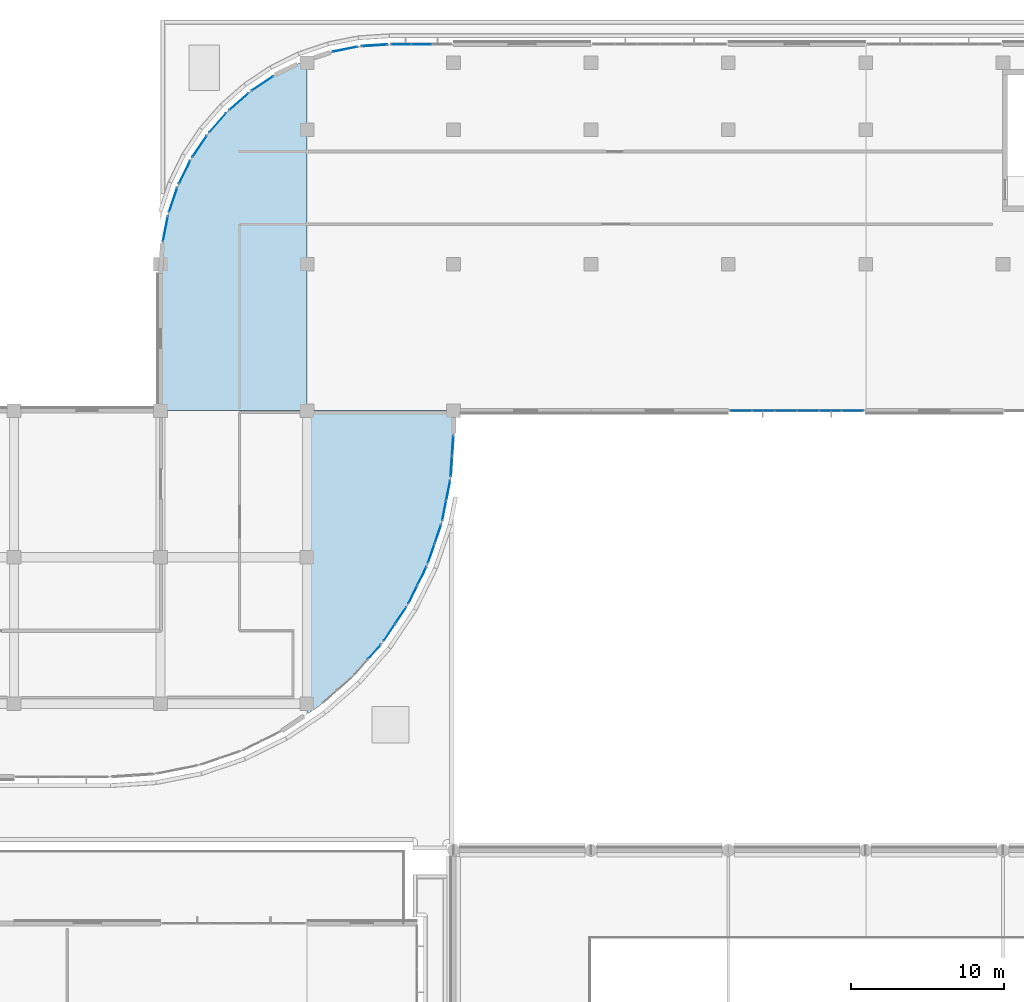
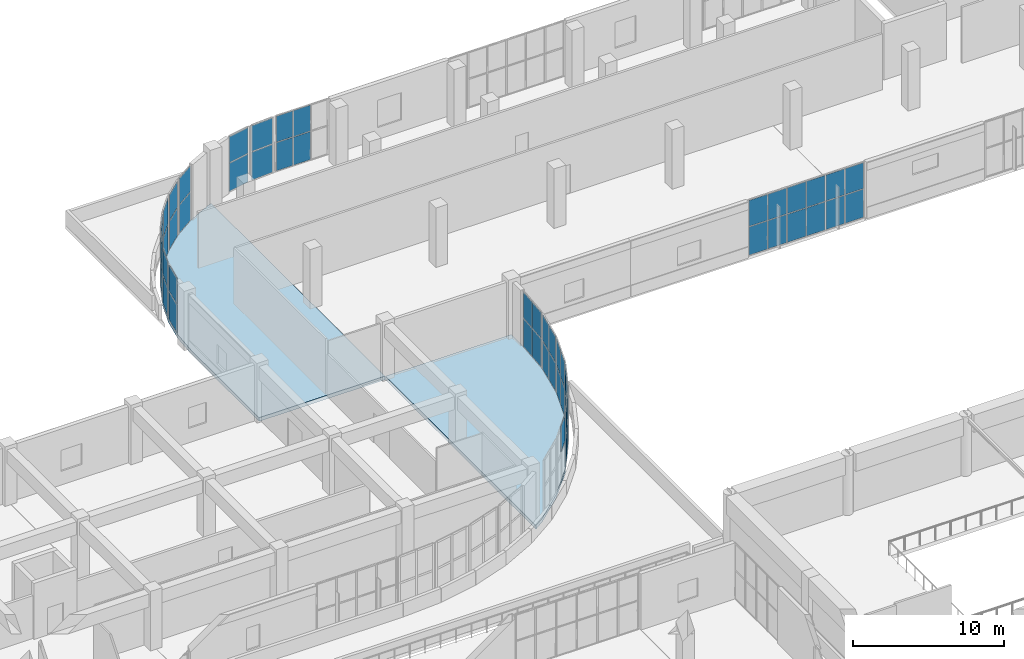
# One storey, part 51 of 96: 55 plates, 2 slabs, 17 elements without a shape of their own.
"""IFC4 building model written with IfcOpenShell, lengths in metres."""

from ifc_helpers import new_model, si_unit, direction, frame, origin, origin_2d, place, context, subcontext, project, spatial, polyline, rectangle, outline, extrude, material, layer, layer_set, type_object, element, aggregate, save


model = new_model("IFC4")

# Units and contexts
model_context = context("Model", 3, precision=1e-05, world=origin(), true_north=direction((0.0, 1.0)))
body_context = subcontext(model_context, "Body", "Model", "MODEL_VIEW")
ifc_project = project(units=[si_unit("LENGTHUNIT", "METRE"), si_unit("AREAUNIT", "SQUARE_METRE"), si_unit("VOLUMEUNIT", "CUBIC_METRE"), si_unit("PLANEANGLEUNIT", "RADIAN"), si_unit("MASSUNIT", "GRAM", prefix="KILO")], contexts=[model_context])

# Site, building, storey
site_placement = place(None, origin())
site = spatial("IfcSite", under=ifc_project, at=site_placement, CompositionType="ELEMENT")
building_placement = place(site_placement, origin())
building = spatial("IfcBuilding", under=site, at=building_placement, Name="Cendralis Terraced Arcade", CompositionType="ELEMENT")
storey_placement = place(building_placement, frame((0.0, 0.0, 10.199951171875)))
storey = spatial("IfcBuildingStorey", under=building, at=storey_placement, Name="L02", CompositionType="ELEMENT", Elevation=10.199951171875)

# Curtain wall, plates
ifc_material_1 = material(Name="Anodised aluminium EN AW-6063 T6", Category="aluminium")
ifc_layer_1 = layer(ifc_material_1, 0.1201171875, Name="CW-STORE-B")
ifc_layer_set_1 = layer_set([ifc_layer_1], Name="Anodised aluminium EN AW-6063 T6")
curtain_wall_type_1 = type_object("IfcCurtainWallType", Name="CW-STORE-B", PredefinedType="USERDEFINED", material=ifc_layer_set_1)
curtain_wall_1_placement = place(storey_placement, origin())
curtain_wall_1 = element("IfcCurtainWall", 1, at=curtain_wall_1_placement, inside=storey, type_object=curtain_wall_type_1, Name="Exterior Storefront Glazing CW-L02-0115", ObjectType="STOREFRONT GLAZING", PredefinedType="USERDEFINED")
ifc_material_2 = material(Name="Tempered solar control laminated glass", Category="glass")
ifc_layer_2 = layer(ifc_material_2, 0.02392578125, Name="CW-STORE-B-PNL")
ifc_layer_set_2 = layer_set([ifc_layer_2], Name="Tempered solar control laminated glass")
plate_type_1 = type_object("IfcPlateType", Name="CW-STORE-B-PNL", PredefinedType="CURTAIN_PANEL", material=ifc_layer_set_2)
plate_1_placement = place(storey_placement, frame((93.361328125, 88.800048828125, 0.05517578125), z_axis=(0.0, 0.0, 1.0), x_axis=(-1.0, 0.0, 0.0)))
plate_1 = element("IfcPlate", 2, at=plate_1_placement, type_object=plate_type_1, Name="CW-S2 panel 1.1", PredefinedType="CURTAIN_PANEL", context=body_context, shape_type="SweptSolid", body=[
    extrude(rectangle(XDim=1.387451171875, YDim=0.02392578125, at=origin_2d()), origin(), (0.0, 0.0, 1.0), 2.265380859375),
])
plate_2_placement = place(storey_placement, frame((93.361328125, 88.800048828125, 2.37548828125), z_axis=(0.0, 0.0, 1.0), x_axis=(-1.0, 0.0, 0.0)))
plate_2 = element("IfcPlate", 3, at=plate_2_placement, type_object=plate_type_1, Name="CW-S2 panel 1.2", PredefinedType="CURTAIN_PANEL", context=body_context, shape_type="SweptSolid", body=[
    extrude(rectangle(XDim=1.387451171875, YDim=0.02392578125, at=origin_2d()), origin(), (0.0, 0.0, 1.0), 2.084716796875),
])
plate_3_placement = place(storey_placement, frame((91.905029296875, 88.800048828125, 0.05517578125), z_axis=(0.0, 0.0, 1.0), x_axis=(-1.0, 0.0, 0.0)))
plate_3 = element("IfcPlate", 4, at=plate_3_placement, type_object=plate_type_1, Name="CW-S2 panel 2.1", PredefinedType="CURTAIN_PANEL", context=body_context, shape_type="SweptSolid", body=[
    extrude(rectangle(XDim=1.4150390625, YDim=0.02392578125, at=origin_2d()), origin(), (0.0, 0.0, 1.0), 2.265380859375),
])
plate_4_placement = place(storey_placement, frame((91.905029296875, 88.800048828125, 2.37548828125), z_axis=(0.0, 0.0, 1.0), x_axis=(-1.0, 0.0, 0.0)))
plate_4 = element("IfcPlate", 5, at=plate_4_placement, type_object=plate_type_1, Name="CW-S2 panel 2.2", PredefinedType="CURTAIN_PANEL", context=body_context, shape_type="SweptSolid", body=[
    extrude(rectangle(XDim=1.4150390625, YDim=0.02392578125, at=origin_2d()), origin(), (0.0, 0.0, 1.0), 2.084716796875),
])
plate_5_placement = place(storey_placement, frame((90.43505859375, 88.800048828125, 0.05517578125), z_axis=(0.0, 0.0, 1.0), x_axis=(-1.0, 0.0, 0.0)))
plate_5 = element("IfcPlate", 6, at=plate_5_placement, type_object=plate_type_1, Name="CW-S2 panel 3.1", PredefinedType="CURTAIN_PANEL", context=body_context, shape_type="SweptSolid", body=[
    extrude(rectangle(XDim=1.4150390625, YDim=0.02392578125, at=origin_2d()), origin(), (0.0, 0.0, 1.0), 2.265380859375),
])
plate_6_placement = place(storey_placement, frame((90.43505859375, 88.800048828125, 2.37548828125), z_axis=(0.0, 0.0, 1.0), x_axis=(-1.0, 0.0, 0.0)))
plate_6 = element("IfcPlate", 7, at=plate_6_placement, type_object=plate_type_1, Name="CW-S2 panel 3.2", PredefinedType="CURTAIN_PANEL", context=body_context, shape_type="SweptSolid", body=[
    extrude(rectangle(XDim=1.4150390625, YDim=0.02392578125, at=origin_2d()), origin(), (0.0, 0.0, 1.0), 2.084716796875),
])
plate_7_placement = place(storey_placement, frame((88.965087890625, 88.800048828125, 0.05517578125), z_axis=(0.0, 0.0, 1.0), x_axis=(-1.0, 0.0, 0.0)))
plate_7 = element("IfcPlate", 8, at=plate_7_placement, type_object=plate_type_1, Name="CW-S2 panel 4.1", PredefinedType="CURTAIN_PANEL", context=body_context, shape_type="SweptSolid", body=[
    extrude(rectangle(XDim=1.4150390625, YDim=0.02392578125, at=origin_2d()), origin(), (0.0, 0.0, 1.0), 2.265380859375),
])
plate_8_placement = place(storey_placement, frame((88.965087890625, 88.800048828125, 2.37548828125), z_axis=(0.0, 0.0, 1.0), x_axis=(-1.0, 0.0, 0.0)))
plate_8 = element("IfcPlate", 9, at=plate_8_placement, type_object=plate_type_1, Name="CW-S2 panel 4.2", PredefinedType="CURTAIN_PANEL", context=body_context, shape_type="SweptSolid", body=[
    extrude(rectangle(XDim=1.4150390625, YDim=0.02392578125, at=origin_2d()), origin(), (0.0, 0.0, 1.0), 2.084716796875),
])
plate_9_placement = place(storey_placement, frame((87.4951171875, 88.800048828125, 0.05517578125), z_axis=(0.0, 0.0, 1.0), x_axis=(-1.0, 0.0, 0.0)))
plate_9 = element("IfcPlate", 10, at=plate_9_placement, type_object=plate_type_1, Name="CW-S2 panel 5.1", PredefinedType="CURTAIN_PANEL", context=body_context, shape_type="SweptSolid", body=[
    extrude(rectangle(XDim=1.4150390625, YDim=0.02392578125, at=origin_2d()), origin(), (0.0, 0.0, 1.0), 2.265380859375),
])
plate_10_placement = place(storey_placement, frame((87.4951171875, 88.800048828125, 2.37548828125), z_axis=(0.0, 0.0, 1.0), x_axis=(-1.0, 0.0, 0.0)))
plate_10 = element("IfcPlate", 11, at=plate_10_placement, type_object=plate_type_1, Name="CW-S2 panel 5.2", PredefinedType="CURTAIN_PANEL", context=body_context, shape_type="SweptSolid", body=[
    extrude(rectangle(XDim=1.4150390625, YDim=0.02392578125, at=origin_2d()), origin(), (0.0, 0.0, 1.0), 2.084716796875),
])
plate_11_placement = place(storey_placement, frame((86.038818359375, 88.800048828125, 0.05517578125), z_axis=(0.0, 0.0, 1.0), x_axis=(-1.0, 0.0, 0.0)))
plate_11 = element("IfcPlate", 12, at=plate_11_placement, type_object=plate_type_1, Name="CW-S2 panel 6.1", PredefinedType="CURTAIN_PANEL", context=body_context, shape_type="SweptSolid", body=[
    extrude(rectangle(XDim=1.387451171875, YDim=0.02392578125, at=origin_2d()), origin(), (0.0, 0.0, 1.0), 2.265380859375),
])
plate_12_placement = place(storey_placement, frame((86.038818359375, 88.800048828125, 2.37548828125), z_axis=(0.0, 0.0, 1.0), x_axis=(-1.0, 0.0, 0.0)))
plate_12 = element("IfcPlate", 13, at=plate_12_placement, type_object=plate_type_1, Name="CW-S2 panel 6.2", PredefinedType="CURTAIN_PANEL", context=body_context, shape_type="SweptSolid", body=[
    extrude(rectangle(XDim=1.387451171875, YDim=0.02392578125, at=origin_2d()), origin(), (0.0, 0.0, 1.0), 2.084716796875),
])
aggregate(curtain_wall_1, [plate_1, plate_2, plate_3, plate_4, plate_5, plate_6, plate_7, plate_8, plate_9, plate_10, plate_11, plate_12])

curtain_wall_2_placement = place(storey_placement, origin())
curtain_wall_2 = element("IfcCurtainWall", 14, at=curtain_wall_2_placement, inside=storey, type_object=curtain_wall_type_1, Name="Exterior Storefront Glazing CW-L02-0152", ObjectType="STOREFRONT GLAZING", PredefinedType="USERDEFINED")
plate_13_placement = place(storey_placement, frame((63.773681640625, 112.800048828125, 0.05517578125), z_axis=(0.0, 0.0, 1.0), x_axis=(1.0, 0.0, 0.0)))
plate_13 = element("IfcPlate", 15, at=plate_13_placement, type_object=plate_type_1, Name="CW-S2 panel 1.1", PredefinedType="CURTAIN_PANEL", context=body_context, shape_type="SweptSolid", body=[
    extrude(rectangle(XDim=1.257568359375, YDim=0.02392578125, at=origin_2d()), origin(), (0.0, 0.0, 1.0), 2.265380859375),
])
plate_14_placement = place(storey_placement, frame((63.773681640625, 112.800048828125, 2.37548828125), z_axis=(0.0, 0.0, 1.0), x_axis=(1.0, 0.0, 0.0)))
plate_14 = element("IfcPlate", 16, at=plate_14_placement, type_object=plate_type_1, Name="CW-S2 panel 1.2", PredefinedType="CURTAIN_PANEL", context=body_context, shape_type="SweptSolid", body=[
    extrude(rectangle(XDim=1.257568359375, YDim=0.02392578125, at=origin_2d()), origin(), (0.0, 0.0, 1.0), 2.084716796875),
])
plate_15_placement = place(storey_placement, frame((65.10009765625, 112.800048828125, 0.05517578125), z_axis=(0.0, 0.0, 1.0), x_axis=(1.0, 0.0, 0.0)))
plate_15 = element("IfcPlate", 17, at=plate_15_placement, type_object=plate_type_1, Name="CW-S2 panel 2.1", PredefinedType="CURTAIN_PANEL", context=body_context, shape_type="SweptSolid", body=[
    extrude(rectangle(XDim=1.284912109375, YDim=0.02392578125, at=origin_2d()), origin(), (0.0, 0.0, 1.0), 2.265380859375),
])
plate_16_placement = place(storey_placement, frame((65.10009765625, 112.800048828125, 2.37548828125), z_axis=(0.0, 0.0, 1.0), x_axis=(1.0, 0.0, 0.0)))
plate_16 = element("IfcPlate", 18, at=plate_16_placement, type_object=plate_type_1, Name="CW-S2 panel 2.2", PredefinedType="CURTAIN_PANEL", context=body_context, shape_type="SweptSolid", body=[
    extrude(rectangle(XDim=1.284912109375, YDim=0.02392578125, at=origin_2d()), origin(), (0.0, 0.0, 1.0), 2.084716796875),
])
aggregate(curtain_wall_2, [plate_13, plate_14, plate_15, plate_16])

ifc_layer_3 = layer(ifc_material_1, 0.179931640625, Name="CW-UNIT-A")
ifc_layer_set_3 = layer_set([ifc_layer_3], Name="Anodised aluminium EN AW-6063 T6")
curtain_wall_type_2 = type_object("IfcCurtainWallType", Name="CW-UNIT-A", PredefinedType="USERDEFINED", material=ifc_layer_set_3)
curtain_wall_3_placement = place(storey_placement, origin())
curtain_wall_3 = element("IfcCurtainWall", 19, at=curtain_wall_3_placement, inside=storey, type_object=curtain_wall_type_2, Name="Exterior Unitised Facade CW-L02-0116", ObjectType="UNITISED FACADE", PredefinedType="USERDEFINED")
ifc_layer_4 = layer(ifc_material_2, 0.035888671875, Name="CW-UNIT-A-PNL")
ifc_layer_set_4 = layer_set([ifc_layer_4], Name="Tempered solar control laminated glass")
plate_type_2 = type_object("IfcPlateType", Name="CW-UNIT-A-PNL", PredefinedType="CURTAIN_PANEL", material=ifc_layer_set_4)
plate_17_placement = place(storey_placement, frame((67.14794921875, 86.504638671875, 0.06494140625), z_axis=(0.0, 0.0, 1.0), x_axis=(-0.065397206439, -0.997859311421, 0.0)))
plate_17 = element("IfcPlate", 20, at=plate_17_placement, type_object=plate_type_2, Name="CW-U1 panel 1.1", PredefinedType="CURTAIN_PANEL", context=body_context, shape_type="SweptSolid", body=[
    extrude(rectangle(XDim=1.283935546875, YDim=0.035888671875, at=origin_2d()), origin(), (0.0, 0.0, 1.0), 2.250244140625),
])
plate_18_placement = place(storey_placement, frame((67.14794921875, 86.504638671875, 2.38037109375), z_axis=(0.0, 0.0, 1.0), x_axis=(-0.065397206439, -0.997859311421, 0.0)))
plate_18 = element("IfcPlate", 21, at=plate_18_placement, type_object=plate_type_2, Name="CW-U1 panel 1.2", PredefinedType="CURTAIN_PANEL", context=body_context, shape_type="SweptSolid", body=[
    extrude(rectangle(XDim=1.283935546875, YDim=0.035888671875, at=origin_2d()), origin(), (0.0, 0.0, 1.0), 2.069580078125),
])
plate_19_placement = place(storey_placement, frame((67.0595703125, 85.158447265625, 0.06494140625), z_axis=(0.0, 0.0, 1.0), x_axis=(-0.065397206439, -0.997859311421, 0.0)))
plate_19 = element("IfcPlate", 22, at=plate_19_placement, type_object=plate_type_2, Name="CW-U1 panel 2.1", PredefinedType="CURTAIN_PANEL", context=body_context, shape_type="SweptSolid", body=[
    extrude(rectangle(XDim=1.283935546875, YDim=0.035888671875, at=origin_2d()), origin(), (0.0, 0.0, 1.0), 2.250244140625),
])
plate_20_placement = place(storey_placement, frame((67.0595703125, 85.158447265625, 2.38037109375), z_axis=(0.0, 0.0, 1.0), x_axis=(-0.065397206439, -0.997859311421, 0.0)))
plate_20 = element("IfcPlate", 23, at=plate_20_placement, type_object=plate_type_2, Name="CW-U1 panel 2.2", PredefinedType="CURTAIN_PANEL", context=body_context, shape_type="SweptSolid", body=[
    extrude(rectangle(XDim=1.283935546875, YDim=0.035888671875, at=origin_2d()), origin(), (0.0, 0.0, 1.0), 2.069580078125),
])
aggregate(curtain_wall_3, [plate_17, plate_18, plate_19, plate_20])

curtain_wall_4_placement = place(storey_placement, origin())
curtain_wall_4 = element("IfcCurtainWall", 24, at=curtain_wall_4_placement, inside=storey, type_object=curtain_wall_type_2, Name="Exterior Unitised Facade CW-L02-0117", ObjectType="UNITISED FACADE", PredefinedType="USERDEFINED")
plate_21_placement = place(storey_placement, frame((66.85205078125, 83.58154296875, 0.06494140625), z_axis=(0.0, 0.0, 1.0), x_axis=(-0.195072039192, -0.980788916906, 0.0)))
plate_21 = element("IfcPlate", 25, at=plate_21_placement, type_object=plate_type_2, Name="CW-U1 panel 1.1", PredefinedType="CURTAIN_PANEL", context=body_context, shape_type="SweptSolid", body=[
    extrude(rectangle(XDim=1.283935546875, YDim=0.035888671875, at=origin_2d()), origin(), (0.0, 0.0, 1.0), 2.250244140625),
])
plate_22_placement = place(storey_placement, frame((66.85205078125, 83.58154296875, 2.38037109375), z_axis=(0.0, 0.0, 1.0), x_axis=(-0.195072039192, -0.980788916906, 0.0)))
plate_22 = element("IfcPlate", 26, at=plate_22_placement, type_object=plate_type_2, Name="CW-U1 panel 1.2", PredefinedType="CURTAIN_PANEL", context=body_context, shape_type="SweptSolid", body=[
    extrude(rectangle(XDim=1.283935546875, YDim=0.035888671875, at=origin_2d()), origin(), (0.0, 0.0, 1.0), 2.069580078125),
])
plate_23_placement = place(storey_placement, frame((66.5888671875, 82.25830078125, 0.06494140625), z_axis=(0.0, 0.0, 1.0), x_axis=(-0.195072039192, -0.980788916906, 0.0)))
plate_23 = element("IfcPlate", 27, at=plate_23_placement, type_object=plate_type_2, Name="CW-U1 panel 2.1", PredefinedType="CURTAIN_PANEL", context=body_context, shape_type="SweptSolid", body=[
    extrude(rectangle(XDim=1.283935546875, YDim=0.035888671875, at=origin_2d()), origin(), (0.0, 0.0, 1.0), 2.250244140625),
])
plate_24_placement = place(storey_placement, frame((66.5888671875, 82.25830078125, 2.38037109375), z_axis=(0.0, 0.0, 1.0), x_axis=(-0.195072039192, -0.980788916906, 0.0)))
plate_24 = element("IfcPlate", 28, at=plate_24_placement, type_object=plate_type_2, Name="CW-U1 panel 2.2", PredefinedType="CURTAIN_PANEL", context=body_context, shape_type="SweptSolid", body=[
    extrude(rectangle(XDim=1.283935546875, YDim=0.035888671875, at=origin_2d()), origin(), (0.0, 0.0, 1.0), 2.069580078125),
])
aggregate(curtain_wall_4, [plate_21, plate_22, plate_23, plate_24])

curtain_wall_5_placement = place(storey_placement, origin())
curtain_wall_5 = element("IfcCurtainWall", 29, at=curtain_wall_5_placement, inside=storey, type_object=curtain_wall_type_2, Name="Exterior Unitised Facade CW-L02-0118", ObjectType="UNITISED FACADE", PredefinedType="USERDEFINED")
plate_25_placement = place(storey_placement, frame((66.17724609375, 80.721923828125, 0.06494140625), z_axis=(0.0, 0.0, 1.0), x_axis=(-0.321434268814, -0.94693189345, 0.0)))
plate_25 = element("IfcPlate", 30, at=plate_25_placement, type_object=plate_type_2, Name="CW-U1 panel 1.1", PredefinedType="CURTAIN_PANEL", context=body_context, shape_type="SweptSolid", body=[
    extrude(rectangle(XDim=1.2841796875, YDim=0.035888671875, at=origin_2d()), origin(), (0.0, 0.0, 1.0), 2.250244140625),
])
plate_26_placement = place(storey_placement, frame((66.17724609375, 80.721923828125, 2.38037109375), z_axis=(0.0, 0.0, 1.0), x_axis=(-0.321434268814, -0.94693189345, 0.0)))
plate_26 = element("IfcPlate", 31, at=plate_26_placement, type_object=plate_type_2, Name="CW-U1 panel 1.2", PredefinedType="CURTAIN_PANEL", context=body_context, shape_type="SweptSolid", body=[
    extrude(rectangle(XDim=1.2841796875, YDim=0.035888671875, at=origin_2d()), origin(), (0.0, 0.0, 1.0), 2.069580078125),
])
plate_27_placement = place(storey_placement, frame((65.743408203125, 79.4443359375, 0.06494140625), z_axis=(0.0, 0.0, 1.0), x_axis=(-0.321434268814, -0.94693189345, 0.0)))
plate_27 = element("IfcPlate", 32, at=plate_27_placement, type_object=plate_type_2, Name="CW-U1 panel 2.1", PredefinedType="CURTAIN_PANEL", context=body_context, shape_type="SweptSolid", body=[
    extrude(rectangle(XDim=1.2841796875, YDim=0.035888671875, at=origin_2d()), origin(), (0.0, 0.0, 1.0), 2.250244140625),
])
plate_28_placement = place(storey_placement, frame((65.743408203125, 79.4443359375, 2.38037109375), z_axis=(0.0, 0.0, 1.0), x_axis=(-0.321434268814, -0.94693189345, 0.0)))
plate_28 = element("IfcPlate", 33, at=plate_28_placement, type_object=plate_type_2, Name="CW-U1 panel 2.2", PredefinedType="CURTAIN_PANEL", context=body_context, shape_type="SweptSolid", body=[
    extrude(rectangle(XDim=1.2841796875, YDim=0.035888671875, at=origin_2d()), origin(), (0.0, 0.0, 1.0), 2.069580078125),
])
aggregate(curtain_wall_5, [plate_25, plate_26, plate_27, plate_28])

curtain_wall_6_placement = place(storey_placement, origin())
curtain_wall_6 = element("IfcCurtainWall", 34, at=curtain_wall_6_placement, inside=storey, type_object=curtain_wall_type_2, Name="Exterior Unitised Facade CW-L02-0119", ObjectType="UNITISED FACADE", PredefinedType="USERDEFINED")
plate_29_placement = place(storey_placement, frame((65.134765625, 77.974853515625, 0.06494140625), z_axis=(0.0, 0.0, 1.0), x_axis=(-0.442284907309, -0.896874607047, 0.0)))
plate_29 = element("IfcPlate", 35, at=plate_29_placement, type_object=plate_type_2, Name="CW-U1 panel 1.1", PredefinedType="CURTAIN_PANEL", context=body_context, shape_type="SweptSolid", body=[
    extrude(rectangle(XDim=1.2841796875, YDim=0.035888671875, at=origin_2d()), origin(), (0.0, 0.0, 1.0), 2.250244140625),
])
plate_30_placement = place(storey_placement, frame((65.134765625, 77.974853515625, 2.38037109375), z_axis=(0.0, 0.0, 1.0), x_axis=(-0.442284907309, -0.896874607047, 0.0)))
plate_30 = element("IfcPlate", 36, at=plate_30_placement, type_object=plate_type_2, Name="CW-U1 panel 1.2", PredefinedType="CURTAIN_PANEL", context=body_context, shape_type="SweptSolid", body=[
    extrude(rectangle(XDim=1.2841796875, YDim=0.035888671875, at=origin_2d()), origin(), (0.0, 0.0, 1.0), 2.069580078125),
])
plate_31_placement = place(storey_placement, frame((64.5380859375, 76.764892578125, 0.06494140625), z_axis=(0.0, 0.0, 1.0), x_axis=(-0.442284907309, -0.896874607047, 0.0)))
plate_31 = element("IfcPlate", 37, at=plate_31_placement, type_object=plate_type_2, Name="CW-U1 panel 2.1", PredefinedType="CURTAIN_PANEL", context=body_context, shape_type="SweptSolid", body=[
    extrude(rectangle(XDim=1.2841796875, YDim=0.035888671875, at=origin_2d()), origin(), (0.0, 0.0, 1.0), 2.250244140625),
])
plate_32_placement = place(storey_placement, frame((64.5380859375, 76.764892578125, 2.38037109375), z_axis=(0.0, 0.0, 1.0), x_axis=(-0.442284907309, -0.896874607047, 0.0)))
plate_32 = element("IfcPlate", 38, at=plate_32_placement, type_object=plate_type_2, Name="CW-U1 panel 2.2", PredefinedType="CURTAIN_PANEL", context=body_context, shape_type="SweptSolid", body=[
    extrude(rectangle(XDim=1.2841796875, YDim=0.035888671875, at=origin_2d()), origin(), (0.0, 0.0, 1.0), 2.069580078125),
])
aggregate(curtain_wall_6, [plate_29, plate_30, plate_31, plate_32])

curtain_wall_7_placement = place(storey_placement, origin())
curtain_wall_7 = element("IfcCurtainWall", 39, at=curtain_wall_7_placement, inside=storey, type_object=curtain_wall_type_2, Name="Exterior Unitised Facade CW-L02-0120", ObjectType="UNITISED FACADE", PredefinedType="USERDEFINED")
plate_33_placement = place(storey_placement, frame((63.74267578125, 75.38720703125, 0.06494140625), z_axis=(0.0, 0.0, 1.0), x_axis=(-0.555560119749, -0.831476369685, 0.0)))
plate_33 = element("IfcPlate", 40, at=plate_33_placement, type_object=plate_type_2, Name="CW-U1 panel 1.1", PredefinedType="CURTAIN_PANEL", context=body_context, shape_type="SweptSolid", body=[
    extrude(rectangle(XDim=1.2841796875, YDim=0.035888671875, at=origin_2d()), origin(), (0.0, 0.0, 1.0), 2.250244140625),
])
plate_34_placement = place(storey_placement, frame((63.74267578125, 75.38720703125, 2.38037109375), z_axis=(0.0, 0.0, 1.0), x_axis=(-0.555560119749, -0.831476369685, 0.0)))
plate_34 = element("IfcPlate", 41, at=plate_34_placement, type_object=plate_type_2, Name="CW-U1 panel 1.2", PredefinedType="CURTAIN_PANEL", context=body_context, shape_type="SweptSolid", body=[
    extrude(rectangle(XDim=1.2841796875, YDim=0.035888671875, at=origin_2d()), origin(), (0.0, 0.0, 1.0), 2.069580078125),
])
plate_35_placement = place(storey_placement, frame((62.993408203125, 74.265625, 0.06494140625), z_axis=(0.0, 0.0, 1.0), x_axis=(-0.555560119749, -0.831476369685, 0.0)))
plate_35 = element("IfcPlate", 42, at=plate_35_placement, type_object=plate_type_2, Name="CW-U1 panel 2.1", PredefinedType="CURTAIN_PANEL", context=body_context, shape_type="SweptSolid", body=[
    extrude(rectangle(XDim=1.2841796875, YDim=0.035888671875, at=origin_2d()), origin(), (0.0, 0.0, 1.0), 2.250244140625),
])
plate_36_placement = place(storey_placement, frame((62.993408203125, 74.265625, 2.38037109375), z_axis=(0.0, 0.0, 1.0), x_axis=(-0.555560119749, -0.831476369685, 0.0)))
plate_36 = element("IfcPlate", 43, at=plate_36_placement, type_object=plate_type_2, Name="CW-U1 panel 2.2", PredefinedType="CURTAIN_PANEL", context=body_context, shape_type="SweptSolid", body=[
    extrude(rectangle(XDim=1.2841796875, YDim=0.035888671875, at=origin_2d()), origin(), (0.0, 0.0, 1.0), 2.069580078125),
])
aggregate(curtain_wall_7, [plate_33, plate_34, plate_35, plate_36])

# Curtain wall, plate
curtain_wall_8_placement = place(storey_placement, origin())
curtain_wall_8 = element("IfcCurtainWall", 44, at=curtain_wall_8_placement, inside=storey, type_object=curtain_wall_type_2, Name="Exterior Unitised Facade CW-L02-0121", ObjectType="UNITISED FACADE", PredefinedType="USERDEFINED")
plate_37_placement = place(storey_placement, frame((62.02490234375, 73.003662109375, 2.38037109375), z_axis=(0.0, 0.0, 1.0), x_axis=(-0.659380406029, -0.75180947064, 0.0)))
plate_37 = element("IfcPlate", 45, at=plate_37_placement, type_object=plate_type_2, Name="CW-U1 panel 1.2", PredefinedType="CURTAIN_PANEL", context=body_context, shape_type="SweptSolid", body=[
    extrude(rectangle(XDim=1.2841796875, YDim=0.035888671875, at=origin_2d()), origin(), (0.0, 0.0, 1.0), 2.069580078125),
])
aggregate(curtain_wall_8, [plate_37])

# Curtain wall, plates
curtain_wall_9_placement = place(storey_placement, origin())
curtain_wall_9 = element("IfcCurtainWall", 46, at=curtain_wall_9_placement, inside=storey, type_object=curtain_wall_type_2, Name="Exterior Unitised Facade CW-L02-0143", ObjectType="UNITISED FACADE", PredefinedType="USERDEFINED")
plate_38_placement = place(storey_placement, frame((48.319580078125, 100.72021484375, 0.06494140625), z_axis=(0.0, 0.0, 1.0), x_axis=(0.195058454434, 0.980791618721, 0.0)))
plate_38 = element("IfcPlate", 47, at=plate_38_placement, type_object=plate_type_2, Name="CW-U1 panel 1.1", PredefinedType="CURTAIN_PANEL", context=body_context, shape_type="SweptSolid", body=[
    extrude(rectangle(XDim=1.652099609375, YDim=0.035888671875, at=origin_2d()), origin(), (0.0, 0.0, 1.0), 2.250244140625),
])
plate_39_placement = place(storey_placement, frame((48.319580078125, 100.72021484375, 2.38037109375), z_axis=(0.0, 0.0, 1.0), x_axis=(0.195058454434, 0.980791618721, 0.0)))
plate_39 = element("IfcPlate", 48, at=plate_39_placement, type_object=plate_type_2, Name="CW-U1 panel 1.2", PredefinedType="CURTAIN_PANEL", context=body_context, shape_type="SweptSolid", body=[
    extrude(rectangle(XDim=1.652099609375, YDim=0.035888671875, at=origin_2d()), origin(), (0.0, 0.0, 1.0), 2.069580078125),
])
aggregate(curtain_wall_9, [plate_38, plate_39])

curtain_wall_10_placement = place(storey_placement, origin())
curtain_wall_10 = element("IfcCurtainWall", 49, at=curtain_wall_10_placement, inside=storey, type_object=curtain_wall_type_2, Name="Exterior Unitised Facade CW-L02-0144", ObjectType="UNITISED FACADE", PredefinedType="USERDEFINED")
plate_40_placement = place(storey_placement, frame((48.826416015625, 102.611328125, 0.06494140625), z_axis=(0.0, 0.0, 1.0), x_axis=(0.321458077458, 0.946923811316, 0.0)))
plate_40 = element("IfcPlate", 50, at=plate_40_placement, type_object=plate_type_2, Name="CW-U1 panel 1.1", PredefinedType="CURTAIN_PANEL", context=body_context, shape_type="SweptSolid", body=[
    extrude(rectangle(XDim=1.652099609375, YDim=0.035888671875, at=origin_2d()), origin(), (0.0, 0.0, 1.0), 2.250244140625),
])
plate_41_placement = place(storey_placement, frame((48.826416015625, 102.611328125, 2.38037109375), z_axis=(0.0, 0.0, 1.0), x_axis=(0.321458077458, 0.946923811316, 0.0)))
plate_41 = element("IfcPlate", 51, at=plate_41_placement, type_object=plate_type_2, Name="CW-U1 panel 1.2", PredefinedType="CURTAIN_PANEL", context=body_context, shape_type="SweptSolid", body=[
    extrude(rectangle(XDim=1.652099609375, YDim=0.035888671875, at=origin_2d()), origin(), (0.0, 0.0, 1.0), 2.069580078125),
])
aggregate(curtain_wall_10, [plate_40, plate_41])

curtain_wall_11_placement = place(storey_placement, origin())
curtain_wall_11 = element("IfcCurtainWall", 52, at=curtain_wall_11_placement, inside=storey, type_object=curtain_wall_type_2, Name="Exterior Unitised Facade CW-L02-0145", ObjectType="UNITISED FACADE", PredefinedType="USERDEFINED")
plate_42_placement = place(storey_placement, frame((49.57568359375, 104.420166015625, 0.06494140625), z_axis=(0.0, 0.0, 1.0), x_axis=(0.442291247495, 0.896871480419, 0.0)))
plate_42 = element("IfcPlate", 53, at=plate_42_placement, type_object=plate_type_2, Name="CW-U1 panel 1.1", PredefinedType="CURTAIN_PANEL", context=body_context, shape_type="SweptSolid", body=[
    extrude(rectangle(XDim=1.652099609375, YDim=0.035888671875, at=origin_2d()), origin(), (0.0, 0.0, 1.0), 2.250244140625),
])
plate_43_placement = place(storey_placement, frame((49.57568359375, 104.420166015625, 2.38037109375), z_axis=(0.0, 0.0, 1.0), x_axis=(0.442291247495, 0.896871480419, 0.0)))
plate_43 = element("IfcPlate", 54, at=plate_43_placement, type_object=plate_type_2, Name="CW-U1 panel 1.2", PredefinedType="CURTAIN_PANEL", context=body_context, shape_type="SweptSolid", body=[
    extrude(rectangle(XDim=1.652099609375, YDim=0.035888671875, at=origin_2d()), origin(), (0.0, 0.0, 1.0), 2.069580078125),
])
aggregate(curtain_wall_11, [plate_42, plate_43])

curtain_wall_12_placement = place(storey_placement, origin())
curtain_wall_12 = element("IfcCurtainWall", 55, at=curtain_wall_12_placement, inside=storey, type_object=curtain_wall_type_2, Name="Exterior Unitised Facade CW-L02-0146", ObjectType="UNITISED FACADE", PredefinedType="USERDEFINED")
plate_44_placement = place(storey_placement, frame((50.5546875, 106.11572265625, 0.06494140625), z_axis=(0.0, 0.0, 1.0), x_axis=(0.555567476528, 0.831471454125, 0.0)))
plate_44 = element("IfcPlate", 56, at=plate_44_placement, type_object=plate_type_2, Name="CW-U1 panel 1.1", PredefinedType="CURTAIN_PANEL", context=body_context, shape_type="SweptSolid", body=[
    extrude(rectangle(XDim=1.652099609375, YDim=0.035888671875, at=origin_2d()), origin(), (0.0, 0.0, 1.0), 2.250244140625),
])
plate_45_placement = place(storey_placement, frame((50.5546875, 106.11572265625, 2.38037109375), z_axis=(0.0, 0.0, 1.0), x_axis=(0.555567476528, 0.831471454125, 0.0)))
plate_45 = element("IfcPlate", 57, at=plate_45_placement, type_object=plate_type_2, Name="CW-U1 panel 1.2", PredefinedType="CURTAIN_PANEL", context=body_context, shape_type="SweptSolid", body=[
    extrude(rectangle(XDim=1.652099609375, YDim=0.035888671875, at=origin_2d()), origin(), (0.0, 0.0, 1.0), 2.069580078125),
])
aggregate(curtain_wall_12, [plate_44, plate_45])

curtain_wall_13_placement = place(storey_placement, origin())
curtain_wall_13 = element("IfcCurtainWall", 58, at=curtain_wall_13_placement, inside=storey, type_object=curtain_wall_type_2, Name="Exterior Unitised Facade CW-L02-0147", ObjectType="UNITISED FACADE", PredefinedType="USERDEFINED")
plate_46_placement = place(storey_placement, frame((51.74658203125, 107.6689453125, 0.06494140625), z_axis=(0.0, 0.0, 1.0), x_axis=(0.659386076266, 0.751804497477, 0.0)))
plate_46 = element("IfcPlate", 59, at=plate_46_placement, type_object=plate_type_2, Name="CW-U1 panel 1.1", PredefinedType="CURTAIN_PANEL", context=body_context, shape_type="SweptSolid", body=[
    extrude(rectangle(XDim=1.652099609375, YDim=0.035888671875, at=origin_2d()), origin(), (0.0, 0.0, 1.0), 2.250244140625),
])
plate_47_placement = place(storey_placement, frame((51.74658203125, 107.6689453125, 2.38037109375), z_axis=(0.0, 0.0, 1.0), x_axis=(0.659386076266, 0.751804497477, 0.0)))
plate_47 = element("IfcPlate", 60, at=plate_47_placement, type_object=plate_type_2, Name="CW-U1 panel 1.2", PredefinedType="CURTAIN_PANEL", context=body_context, shape_type="SweptSolid", body=[
    extrude(rectangle(XDim=1.652099609375, YDim=0.035888671875, at=origin_2d()), origin(), (0.0, 0.0, 1.0), 2.069580078125),
])
aggregate(curtain_wall_13, [plate_46, plate_47])

curtain_wall_14_placement = place(storey_placement, origin())
curtain_wall_14 = element("IfcCurtainWall", 61, at=curtain_wall_14_placement, inside=storey, type_object=curtain_wall_type_2, Name="Exterior Unitised Facade CW-L02-0148", ObjectType="UNITISED FACADE", PredefinedType="USERDEFINED")
plate_48_placement = place(storey_placement, frame((53.131103515625, 109.053466796875, 0.06494140625), z_axis=(0.0, 0.0, 1.0), x_axis=(0.751804497477, 0.659386076266, 0.0)))
plate_48 = element("IfcPlate", 62, at=plate_48_placement, type_object=plate_type_2, Name="CW-U1 panel 1.1", PredefinedType="CURTAIN_PANEL", context=body_context, shape_type="SweptSolid", body=[
    extrude(rectangle(XDim=1.652099609375, YDim=0.035888671875, at=origin_2d()), origin(), (0.0, 0.0, 1.0), 2.250244140625),
])
plate_49_placement = place(storey_placement, frame((53.131103515625, 109.053466796875, 2.38037109375), z_axis=(0.0, 0.0, 1.0), x_axis=(0.751804497477, 0.659386076266, 0.0)))
plate_49 = element("IfcPlate", 63, at=plate_49_placement, type_object=plate_type_2, Name="CW-U1 panel 1.2", PredefinedType="CURTAIN_PANEL", context=body_context, shape_type="SweptSolid", body=[
    extrude(rectangle(XDim=1.652099609375, YDim=0.035888671875, at=origin_2d()), origin(), (0.0, 0.0, 1.0), 2.069580078125),
])
aggregate(curtain_wall_14, [plate_48, plate_49])

curtain_wall_15_placement = place(storey_placement, origin())
curtain_wall_15 = element("IfcCurtainWall", 64, at=curtain_wall_15_placement, inside=storey, type_object=curtain_wall_type_2, Name="Exterior Unitised Facade CW-L02-0149", ObjectType="UNITISED FACADE", PredefinedType="USERDEFINED")
plate_50_placement = place(storey_placement, frame((54.684326171875, 110.245361328125, 0.06494140625), z_axis=(0.0, 0.0, 1.0), x_axis=(0.831471454125, 0.555567476528, 0.0)))
plate_50 = element("IfcPlate", 65, at=plate_50_placement, type_object=plate_type_2, Name="CW-U1 panel 1.1", PredefinedType="CURTAIN_PANEL", context=body_context, shape_type="SweptSolid", body=[
    extrude(rectangle(XDim=1.652099609375, YDim=0.035888671875, at=origin_2d()), origin(), (0.0, 0.0, 1.0), 2.250244140625),
])
plate_51_placement = place(storey_placement, frame((54.684326171875, 110.245361328125, 2.38037109375), z_axis=(0.0, 0.0, 1.0), x_axis=(0.831471454125, 0.555567476528, 0.0)))
plate_51 = element("IfcPlate", 66, at=plate_51_placement, type_object=plate_type_2, Name="CW-U1 panel 1.2", PredefinedType="CURTAIN_PANEL", context=body_context, shape_type="SweptSolid", body=[
    extrude(rectangle(XDim=1.652099609375, YDim=0.035888671875, at=origin_2d()), origin(), (0.0, 0.0, 1.0), 2.069580078125),
])
aggregate(curtain_wall_15, [plate_50, plate_51])

curtain_wall_16_placement = place(storey_placement, origin())
curtain_wall_16 = element("IfcCurtainWall", 67, at=curtain_wall_16_placement, inside=storey, type_object=curtain_wall_type_2, Name="Exterior Unitised Facade CW-L02-0150", ObjectType="UNITISED FACADE", PredefinedType="USERDEFINED")
plate_52_placement = place(storey_placement, frame((60.079833984375, 112.480224609375, 0.06494140625), z_axis=(0.0, 0.0, 1.0), x_axis=(0.980791618721, 0.195058454434, 0.0)))
plate_52 = element("IfcPlate", 68, at=plate_52_placement, type_object=plate_type_2, Name="CW-U1 panel 1.1", PredefinedType="CURTAIN_PANEL", context=body_context, shape_type="SweptSolid", body=[
    extrude(rectangle(XDim=1.652099609375, YDim=0.035888671875, at=origin_2d()), origin(), (0.0, 0.0, 1.0), 2.250244140625),
])
plate_53_placement = place(storey_placement, frame((60.079833984375, 112.480224609375, 2.38037109375), z_axis=(0.0, 0.0, 1.0), x_axis=(0.980791618721, 0.195058454434, 0.0)))
plate_53 = element("IfcPlate", 69, at=plate_53_placement, type_object=plate_type_2, Name="CW-U1 panel 1.2", PredefinedType="CURTAIN_PANEL", context=body_context, shape_type="SweptSolid", body=[
    extrude(rectangle(XDim=1.652099609375, YDim=0.035888671875, at=origin_2d()), origin(), (0.0, 0.0, 1.0), 2.069580078125),
])
aggregate(curtain_wall_16, [plate_52, plate_53])

curtain_wall_17_placement = place(storey_placement, origin())
curtain_wall_17 = element("IfcCurtainWall", 70, at=curtain_wall_17_placement, inside=storey, type_object=curtain_wall_type_2, Name="Exterior Unitised Facade CW-L02-0151", ObjectType="UNITISED FACADE", PredefinedType="USERDEFINED")
plate_54_placement = place(storey_placement, frame((62.02099609375, 112.73583984375, 0.06494140625), z_axis=(0.0, 0.0, 1.0), x_axis=(0.997860971336, 0.065371873798, 0.0)))
plate_54 = element("IfcPlate", 71, at=plate_54_placement, type_object=plate_type_2, Name="CW-U1 panel 1.1", PredefinedType="CURTAIN_PANEL", context=body_context, shape_type="SweptSolid", body=[
    extrude(rectangle(XDim=1.652099609375, YDim=0.035888671875, at=origin_2d()), origin(), (0.0, 0.0, 1.0), 2.250244140625),
])
plate_55_placement = place(storey_placement, frame((62.02099609375, 112.73583984375, 2.38037109375), z_axis=(0.0, 0.0, 1.0), x_axis=(0.997860971336, 0.065371873798, 0.0)))
plate_55 = element("IfcPlate", 72, at=plate_55_placement, type_object=plate_type_2, Name="CW-U1 panel 1.2", PredefinedType="CURTAIN_PANEL", context=body_context, shape_type="SweptSolid", body=[
    extrude(rectangle(XDim=1.652099609375, YDim=0.035888671875, at=origin_2d()), origin(), (0.0, 0.0, 1.0), 2.069580078125),
])
aggregate(curtain_wall_17, [plate_54, plate_55])

# Slabs
ifc_material_3 = material(Name="Concrete f'c 35 MPa", Category="concrete")
ifc_layer_5 = layer(ifc_material_3, 0.294921875, Name="SLB-L02-295")
ifc_layer_set_5 = layer_set([ifc_layer_5], Name="Concrete f'c 35 MPa")
slab_type = type_object("IfcSlabType", Name="SLB-L02-295", PredefinedType="FLOOR", material=ifc_layer_set_5)
slab_1_placement = place(storey_placement, frame((0.0, 0.0, -0.294921875)))
element("IfcSlab", 73, at=slab_1_placement, inside=storey, type_object=slab_type, Name="Reinforced Concrete Floor Slab SLB-L02-V3-C1-1", PredefinedType="FLOOR", context=body_context, shape_type="SweptSolid", body=[
    extrude(outline(polyline([(67.007568359375, 84.36328125), (66.433349609375, 81.4765625), (65.4873046875, 78.689697265625), (64.185546875, 76.050048828125), (62.550537109375, 73.602783203125), (60.60986328125, 71.39013671875), (58.397216796875, 69.449462890625), (57.6201171875, 68.930419921875), (57.6201171875, 88.800048828125), (67.199951171875, 88.800048828125), (67.199951171875, 87.300048828125), (67.007568359375, 84.36328125)])), origin(), (0.0, 0.0, 1.0), 0.294921875),
])
slab_2_placement = place(storey_placement, frame((0.0, 0.0, -0.294921875)))
element("IfcSlab", 74, at=slab_2_placement, inside=storey, type_object=slab_type, Name="Reinforced Concrete Floor Slab SLB-L02-V3N-W2-1", PredefinedType="FLOOR", context=body_context, shape_type="SweptSolid", body=[
    extrude(outline(polyline([(48.510986328125, 101.682373046875), (49.141845703125, 103.540283203125), (50.009521484375, 105.300048828125), (51.099609375, 106.931396484375), (52.393310546875, 108.406494140625), (53.86865234375, 109.7001953125), (55.5, 110.790283203125), (57.259765625, 111.658203125), (57.60009765625, 111.773681640625), (57.60009765625, 88.820068359375), (48.0, 88.820068359375), (48.0, 97.800048828125), (48.12841796875, 99.7578125), (48.510986328125, 101.682373046875)])), origin(), (0.0, 0.0, 1.0), 0.294921875),
])

save(model, "model.ifc")
